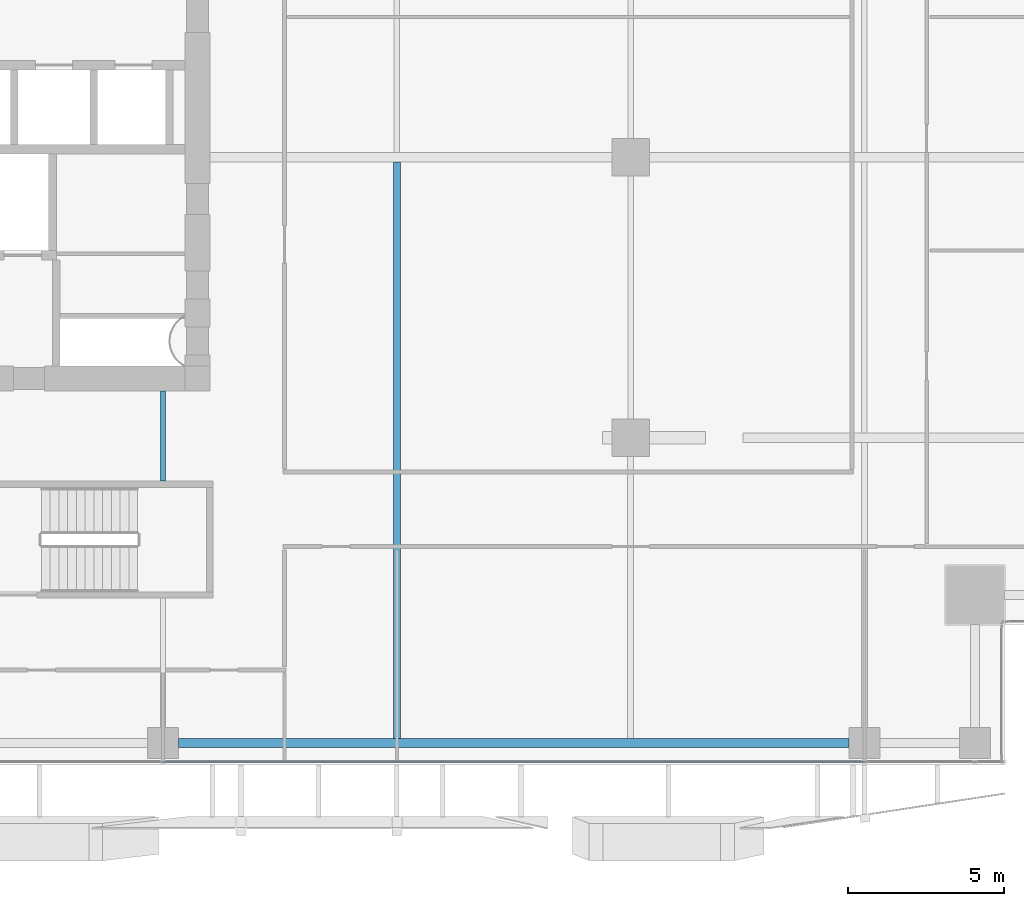
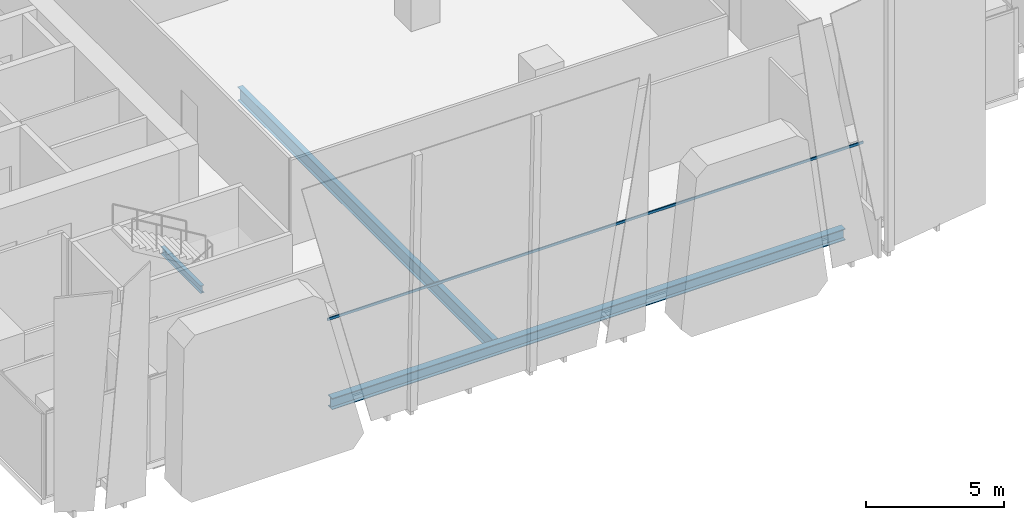
# One storey, part 6 of 35: 3 beams, 1 member, 1 element without a shape of its own.
"""IFC4 building model written with IfcOpenShell, lengths in metres."""

from ifc_helpers import new_model, si_unit, direction, frame, origin, origin_2d, place, context, subcontext, project, spatial, hollow_rectangle, i_section, extrude, source, transform, mapped, material, material_profile, profile_set, type_object, element, aggregate, save


model = new_model("IFC4")

# Units and contexts
model_context = context("Model", 3, precision=1e-05, world=origin(), true_north=direction((0.0, 1.0)))
body_context = subcontext(model_context, "Body", "Model", "MODEL_VIEW")
ifc_project = project(units=[si_unit("LENGTHUNIT", "METRE"), si_unit("AREAUNIT", "SQUARE_METRE"), si_unit("VOLUMEUNIT", "CUBIC_METRE"), si_unit("PLANEANGLEUNIT", "RADIAN"), si_unit("MASSUNIT", "GRAM", prefix="KILO")], contexts=[model_context])

# Site, building, storey
site_placement = place(None, origin())
site = spatial("IfcSite", under=ifc_project, at=site_placement, CompositionType="ELEMENT")
building_placement = place(site_placement, origin())
building = spatial("IfcBuilding", under=site, at=building_placement, Name="Khomas Fold Tower", CompositionType="ELEMENT")
storey_placement = place(building_placement, frame((0.0, 0.0, 188.699951171875)))
storey = spatial("IfcBuildingStorey", under=building, at=storey_placement, Name="L41", CompositionType="ELEMENT", Elevation=188.699951171875)

# Beams
ifc_material_1 = material(Name="Steel S355", Category="steel")
ifc_material_profile_1 = material_profile(ifc_material_1, i_section(OverallWidth=0.159912109375, OverallDepth=0.330078125, WebThickness=0.007568359375, FlangeThickness=0.011474609375, at=origin_2d()), Name="IPE 330")
ifc_profile_set_1 = profile_set([ifc_material_profile_1], Name="Steel S355")
beam_type_1 = type_object("IfcBeamType", Name="IPE 330 beam JB1", PredefinedType="BEAM", material=ifc_profile_set_1)
shared_shape_1 = source(origin(), body_context, "Body", "SweptSolid", [
    extrude(i_section(OverallWidth=0.159912109375, OverallDepth=0.330078125, WebThickness=0.007568359375, FlangeThickness=0.011474609375, at=origin_2d()), origin(), (0.0, 0.0, 1.0), 2.89990234375),
])
beam_1_placement = place(storey_placement, frame((19.5, 12.10009765625, -0.4150390625), z_axis=(0.0, 1.0, 0.0), x_axis=(-1.0, 0.0, 0.0)))
element("IfcBeam", 1, at=beam_1_placement, inside=storey, type_object=beam_type_1, Name="JB1", PredefinedType="BEAM", context=body_context, shape_type="MappedRepresentation", body=[
    mapped(shared_shape_1, transform((0.0, 0.0, 0.0))),
])
ifc_material_2 = material(Name="Steel S355", Category="steel")
ifc_material_profile_2 = material_profile(ifc_material_2, i_section(OverallWidth=0.219970703125, OverallDepth=0.60009765625, WebThickness=0.011962890625, FlangeThickness=0.01904296875, at=origin_2d()), Name="IPE 600")
ifc_profile_set_2 = profile_set([ifc_material_profile_2], Name="Steel S355")
beam_type_2 = type_object("IfcBeamType", Name="IPE 600 beam JB7", PredefinedType="BEAM", material=ifc_profile_set_2)
shared_shape_2 = source(origin(), body_context, "Body", "SweptSolid", [
    extrude(i_section(OverallWidth=0.219970703125, OverallDepth=0.60009765625, WebThickness=0.011962890625, FlangeThickness=0.01904296875, at=origin_2d()), origin(), (0.0, 0.0, 1.0), 18.5),
])
beam_2_placement = place(storey_placement, frame((27.0, 3.85009765625, -0.550048828125), z_axis=(0.0, 1.0, 0.0), x_axis=(-1.0, 0.0, 0.0)))
element("IfcBeam", 2, at=beam_2_placement, inside=storey, type_object=beam_type_2, Name="JB7", PredefinedType="BEAM", context=body_context, shape_type="MappedRepresentation", body=[
    mapped(shared_shape_2, transform((0.0, 0.0, 0.0))),
])
ifc_material_3 = material(Name="Steel S355", Category="steel")
ifc_material_profile_3 = material_profile(ifc_material_3, i_section(OverallWidth=0.300048828125, OverallDepth=0.5, WebThickness=0.014404296875, FlangeThickness=0.028076171875, at=origin_2d()), Name="HE 500 B")
ifc_profile_set_3 = profile_set([ifc_material_profile_3], Name="Steel S355")
beam_type_3 = type_object("IfcBeamType", Name="HE 500 B spandrel SB3", PredefinedType="SPANDREL", material=ifc_profile_set_3)
shared_shape_3 = source(origin(), body_context, "Body", "SweptSolid", [
    extrude(i_section(OverallWidth=0.300048828125, OverallDepth=0.5, WebThickness=0.014404296875, FlangeThickness=0.028076171875, at=origin_2d()), origin(), (0.0, 0.0, 1.0), 21.5),
])
beam_3_placement = place(storey_placement, frame((20.0, 3.699951171875, -0.5), z_axis=(1.0, 0.0, 0.0), x_axis=(0.0, 1.0, 0.0)))
element("IfcBeam", 3, at=beam_3_placement, inside=storey, type_object=beam_type_3, Name="SB3", PredefinedType="SPANDREL", context=body_context, shape_type="MappedRepresentation", body=[
    mapped(shared_shape_3, transform((0.0, 0.0, 0.0))),
])

# Curtain wall, member
ifc_material_4 = material(Name="Aluminium framed double glazing", Category="aluminium")
curtain_wall_type = type_object("IfcCurtainWallType", Name="SK-Unitised clear-glass wall, office floors CW2", PredefinedType="NOTDEFINED", material=ifc_material_4)
curtain_wall_placement = place(storey_placement, origin())
curtain_wall = element("IfcCurtainWall", 4, at=curtain_wall_placement, inside=storey, type_object=curtain_wall_type, Name="CW2 run L41 00-0", PredefinedType="NOTDEFINED")
ifc_material_5 = material(Name="Aluminium", Category="aluminium")
ifc_material_profile_4 = material_profile(ifc_material_5, hollow_rectangle(XDim=0.050048828125, YDim=0.110107421875, WallThickness=0.00390625, at=origin_2d()), Name="SK-Unitised clear-glass wall, office floors transom CW2-T")
ifc_profile_set_4 = profile_set([ifc_material_profile_4], Name="Aluminium")
member_type = type_object("IfcMemberType", Name="SK-Unitised clear-glass wall, office floors transom CW2-T", PredefinedType="USERDEFINED", material=ifc_profile_set_4)
shared_shape_4 = source(origin(), body_context, "Body", "SweptSolid", [
    extrude(hollow_rectangle(XDim=0.050048828125, YDim=0.110107421875, WallThickness=0.00390625, at=origin_2d()), origin(), (0.0, 0.0, 1.0), 22.43994140625),
])
member_placement = place(storey_placement, frame((19.530029296875, 3.10009765625, 3.695068359375), z_axis=(1.0, 0.0, 0.0), x_axis=(0.0, 1.0, 0.0)))
member = element("IfcMember", 5, at=member_placement, type_object=member_type, Name="CW2 transom 4", ObjectType="TRANSOM", PredefinedType="USERDEFINED", context=body_context, shape_type="MappedRepresentation", body=[
    mapped(shared_shape_4, transform((0.0, 0.0, 0.0))),
])
aggregate(curtain_wall, [member])

save(model, "model.ifc")
